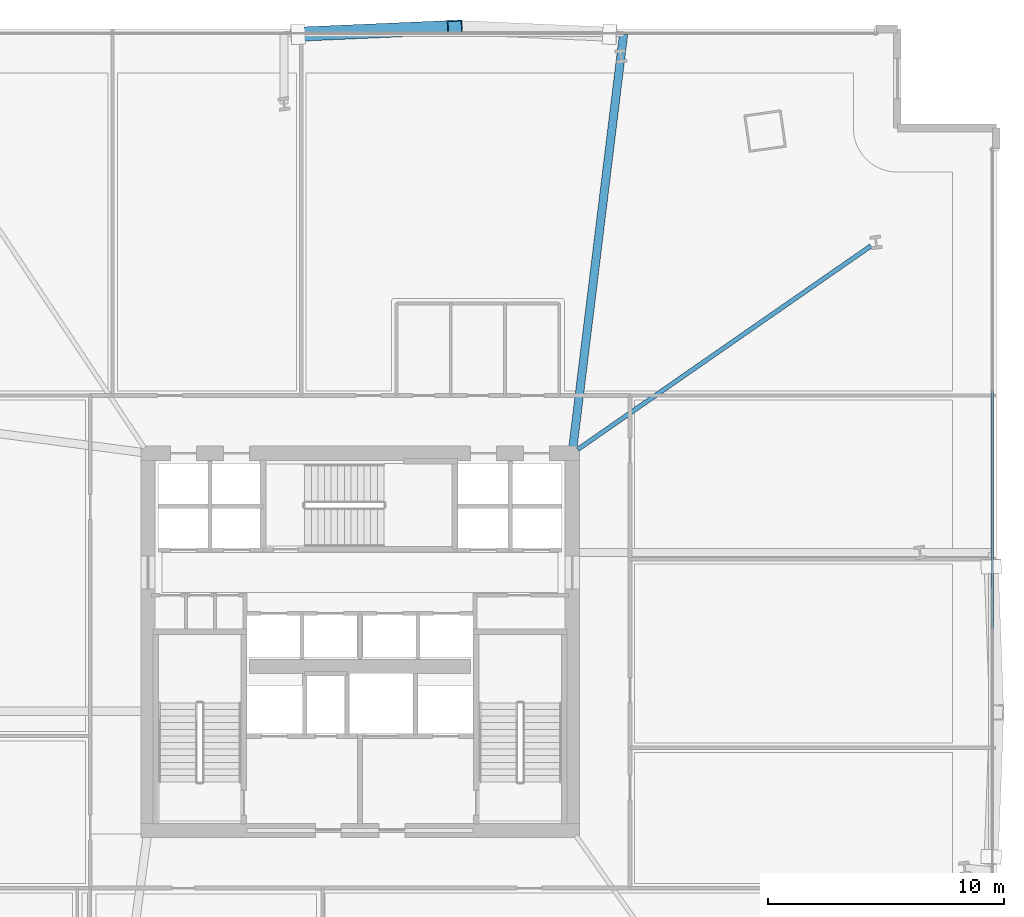
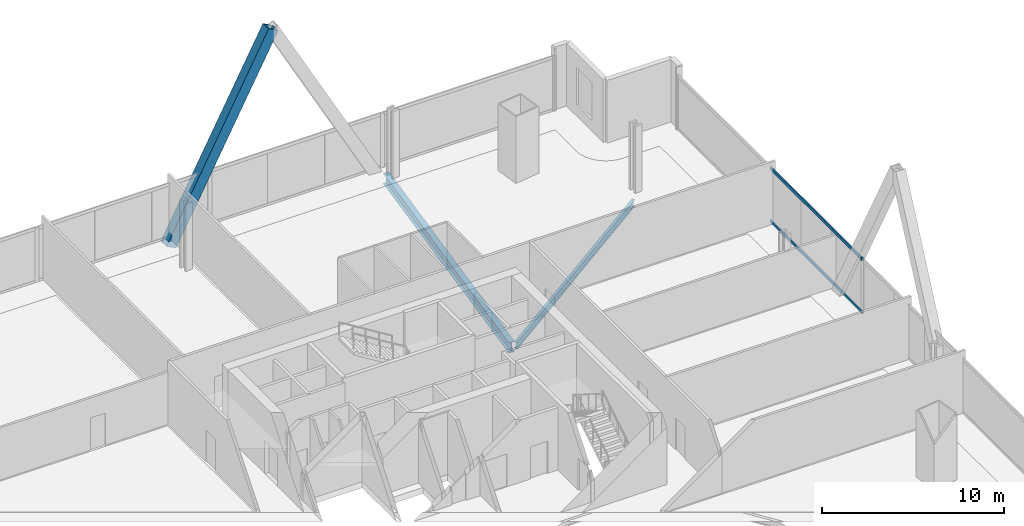
# One storey, part 15 of 29: 3 members, 2 beams, 1 element without a shape of its own.
"""IFC4 building model written with IfcOpenShell, lengths in metres."""

from ifc_helpers import new_model, si_unit, direction, frame, origin, origin_2d, place, context, subcontext, project, spatial, hollow_rectangle, i_section, extrude, material, material_profile, profile_set, type_object, element, aggregate, save


model = new_model("IFC4")

# Units and contexts
model_context = context("Model", 3, precision=1e-05, world=origin(), true_north=direction((0.0, 1.0)))
body_context = subcontext(model_context, "Body", "Model", "MODEL_VIEW")
ifc_project = project(units=[si_unit("LENGTHUNIT", "METRE"), si_unit("AREAUNIT", "SQUARE_METRE"), si_unit("VOLUMEUNIT", "CUBIC_METRE"), si_unit("PLANEANGLEUNIT", "RADIAN"), si_unit("MASSUNIT", "GRAM", prefix="KILO")], contexts=[model_context])

# Site, building, storey
site_placement = place(None, origin())
site = spatial("IfcSite", under=ifc_project, at=site_placement, CompositionType="ELEMENT")
building_placement = place(site_placement, origin())
building = spatial("IfcBuilding", under=site, at=building_placement, Name="Haldenkirk Collegiate Tower", CompositionType="ELEMENT")
storey_placement = place(building_placement, frame((0.0, 0.0, 28.199951171875)))
storey = spatial("IfcBuildingStorey", under=building, at=storey_placement, Name="L05", CompositionType="ELEMENT", Elevation=28.199951171875)

# Beams
ifc_material_1 = material(Name="Steel ASTM A992 Grade 50", Category="steel")
ifc_material_profile_1 = material_profile(ifc_material_1, i_section(OverallWidth=0.35498046875, OverallDepth=0.696044921875, WebThickness=0.015380859375, FlangeThickness=0.02490234375, at=origin_2d()), Name="W27X146")
ifc_profile_set_1 = profile_set([ifc_material_profile_1], Name="Steel ASTM A992 Grade 50")
beam_type_1 = type_object("IfcBeamType", Name="BM-GIRDER-W27X146", PredefinedType="BEAM", material=ifc_profile_set_1)
beam_1_placement = place(storey_placement, frame((47.1806640625, 51.780029296875, -0.758056640625), z_axis=(-0.121728819966, -0.992563395653, 0.0), x_axis=(0.992563395653, -0.121728819966, 0.0)))
element("IfcBeam", 1, at=beam_1_placement, inside=storey, type_object=beam_type_1, Name="L05 primary floor girder 11", PredefinedType="BEAM", context=body_context, shape_type="SweptSolid", body=[
    extrude(i_section(OverallWidth=0.35498046875, OverallDepth=0.696044921875, WebThickness=0.015380859375, FlangeThickness=0.02490234375, at=origin_2d()), origin(), (0.0, 0.0, 1.0), 17.63330078125),
])
ifc_material_profile_2 = material_profile(ifc_material_1, i_section(OverallWidth=0.19189453125, OverallDepth=0.462890625, WebThickness=0.010498046875, FlangeThickness=0.017578125, at=origin_2d()), Name="W18X60")
ifc_profile_set_2 = profile_set([ifc_material_profile_2], Name="Steel ASTM A992 Grade 50")
beam_type_2 = type_object("IfcBeamType", Name="BM-JOIST-W18X60", PredefinedType="JOIST", material=ifc_profile_set_2)
beam_2_placement = place(storey_placement, frame((57.675048828125, 42.7978515625, -0.641357421875), z_axis=(-0.821500606737, -0.570207640365, 0.0), x_axis=(0.570207640365, -0.821500606737, 0.0)))
element("IfcBeam", 2, at=beam_2_placement, inside=storey, type_object=beam_type_2, Name="L05 composite floor joist 10", PredefinedType="JOIST", context=body_context, shape_type="SweptSolid", body=[
    extrude(i_section(OverallWidth=0.19189453125, OverallDepth=0.462890625, WebThickness=0.010498046875, FlangeThickness=0.017578125, at=origin_2d()), origin(), (0.0, 0.0, 1.0), 15.149169921875),
])

# Curtain wall, members
ifc_material_2 = material(Name="Anodised architectural bronze aluminium", Category="aluminium")
curtain_wall_type = type_object("IfcCurtainWallType", Name="CW-SYS4-SKYGARDEN", PredefinedType="USERDEFINED", material=ifc_material_2)
curtain_wall_placement = place(storey_placement, origin())
curtain_wall = element("IfcCurtainWall", 3, at=curtain_wall_placement, inside=storey, type_object=curtain_wall_type, Name="L05 Sky-garden tall bronze curtain wall", ObjectType="UNITISED CURTAIN WALL", PredefinedType="USERDEFINED")
ifc_material_profile_3 = material_profile(ifc_material_2, hollow_rectangle(XDim=0.090087890625, YDim=0.2099609375, WallThickness=0.0048828125, at=origin_2d()), Name="CW-TRN-04")
ifc_profile_set_3 = profile_set([ifc_material_profile_3], Name="Anodised architectural bronze aluminium")
member_type_1 = type_object("IfcMemberType", Name="CW-TRN-04", PredefinedType="USERDEFINED", material=ifc_profile_set_3)
member_1_placement = place(storey_placement, frame((62.820068359375, 36.655029296875, 0.045166015625), z_axis=(0.0, -1.0, 0.0), x_axis=(1.0, 0.0, 0.0)))
member_1 = element("IfcMember", 4, at=member_1_placement, type_object=member_type_1, Name="CW-04 transom 2.1", ObjectType="TRANSOM", PredefinedType="USERDEFINED", context=body_context, shape_type="SweptSolid", body=[
    extrude(hollow_rectangle(XDim=0.090087890625, YDim=0.2099609375, WallThickness=0.0048828125, at=origin_2d()), origin(), (0.0, 0.0, 1.0), 10.110107421875),
])
member_2_placement = place(storey_placement, frame((62.820068359375, 36.655029296875, 3.595947265625), z_axis=(0.0, -1.0, 0.0), x_axis=(1.0, 0.0, 0.0)))
member_2 = element("IfcMember", 5, at=member_2_placement, type_object=member_type_1, Name="CW-04 transom 2.2", ObjectType="TRANSOM", PredefinedType="USERDEFINED", context=body_context, shape_type="SweptSolid", body=[
    extrude(hollow_rectangle(XDim=0.090087890625, YDim=0.2099609375, WallThickness=0.0048828125, at=origin_2d()), origin(), (0.0, 0.0, 1.0), 10.110107421875),
])
aggregate(curtain_wall, [member_1, member_2])

# Member
ifc_material_3 = material(Name="Steel ASTM A572 Grade 50", Category="steel")
ifc_material_profile_4 = material_profile(ifc_material_3, hollow_rectangle(XDim=0.60009765625, YDim=0.719970703125, WallThickness=0.044921875, at=origin_2d()), Name="BOX720X600X45")
ifc_profile_set_4 = profile_set([ifc_material_profile_4], Name="Steel ASTM A572 Grade 50")
member_type_2 = type_object("IfcMemberType", Name="MBR-MEGABRACE-BOX720X600X45", PredefinedType="BRACE", material=ifc_profile_set_4)
member_3_placement = place(storey_placement, frame((33.3720703125, 51.780029296875, -0.419921875), z_axis=(0.481479896348, 0.020932371201, 0.87620713604), x_axis=(-0.043434040368, 0.999056296781, 0.0)))
element("IfcMember", 6, at=member_3_placement, inside=storey, type_object=member_type_2, Name="Perimeter Mega Brace Z1 L05-L07 NR", PredefinedType="BRACE", context=body_context, shape_type="SweptSolid", body=[
    extrude(hollow_rectangle(XDim=0.60009765625, YDim=0.719970703125, WallThickness=0.044921875, at=origin_2d()), origin(), (0.0, 0.0, 1.0), 13.809326171875),
])

save(model, "model.ifc")
